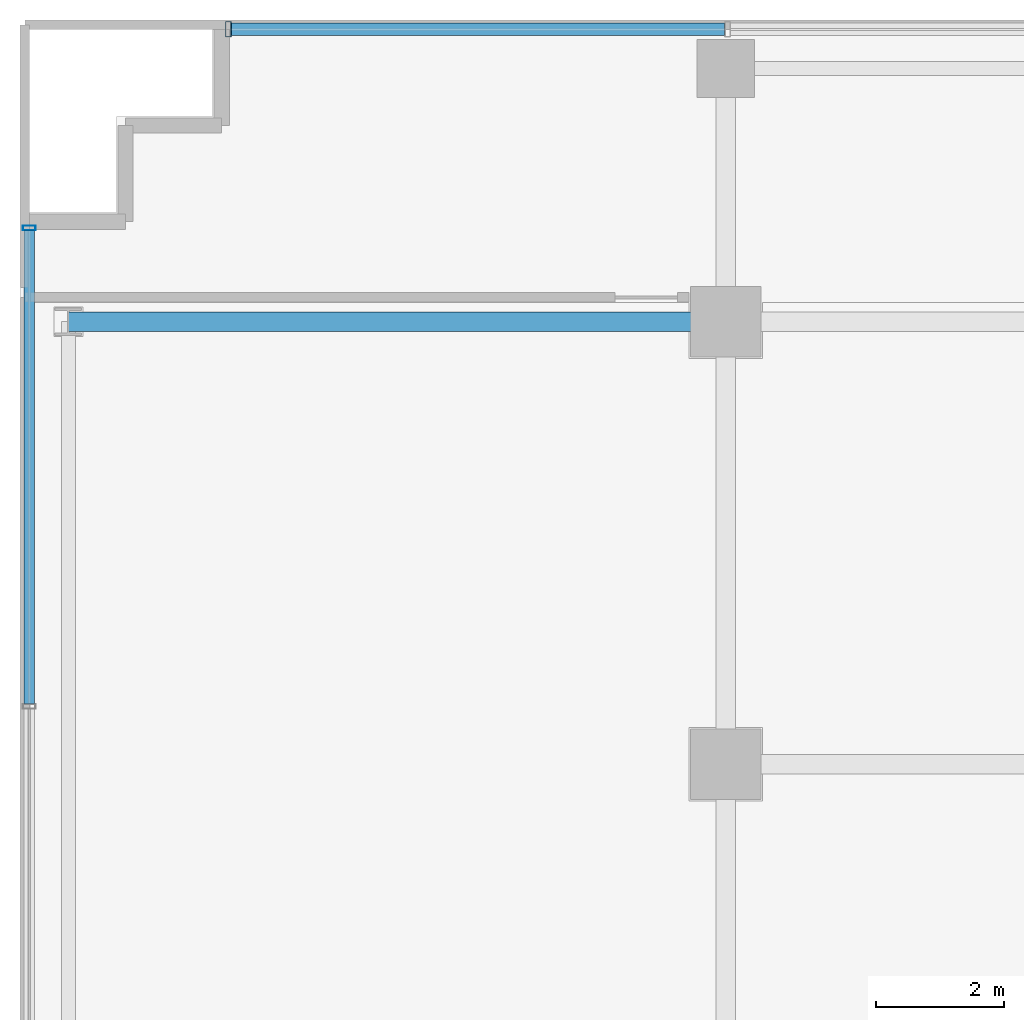
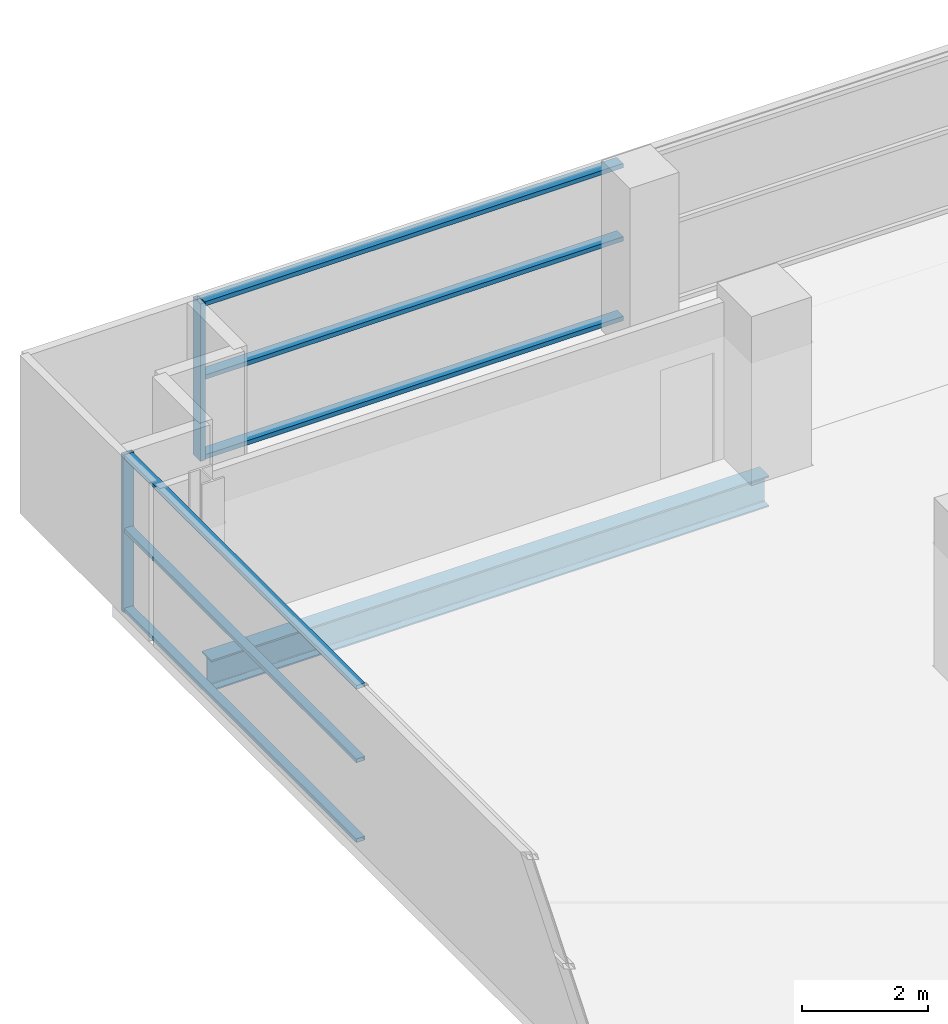
# One storey, part 16 of 30: 8 members, 1 beam, 2 elements without a shape of their own.
"""IFC4 building model written with IfcOpenShell, lengths in metres."""

from ifc_helpers import new_model, si_unit, direction, frame, origin, origin_2d, place, context, subcontext, project, spatial, hollow_rectangle, i_section, extrude, source, transform, mapped, material, layer, layer_set, material_profile, profile_set, type_object, element, aggregate, save


model = new_model("IFC4")

# Units and contexts
model_context = context("Model", 3, precision=1e-05, world=origin(), true_north=direction((0.0, 1.0)))
body_context = subcontext(model_context, "Body", "Model", "MODEL_VIEW")
ifc_project = project(units=[si_unit("LENGTHUNIT", "METRE"), si_unit("AREAUNIT", "SQUARE_METRE"), si_unit("VOLUMEUNIT", "CUBIC_METRE"), si_unit("PLANEANGLEUNIT", "RADIAN"), si_unit("MASSUNIT", "GRAM", prefix="KILO")], contexts=[model_context])

# Site, building, storey
site_placement = place(None, origin())
site = spatial("IfcSite", under=ifc_project, at=site_placement, CompositionType="ELEMENT")
building_placement = place(site_placement, origin())
building = spatial("IfcBuilding", under=site, at=building_placement, Name="Zarnakvel Exchange Tower", CompositionType="ELEMENT")
storey_placement = place(building_placement, frame((0.0, 0.0, 30.699951171875)))
storey = spatial("IfcBuildingStorey", under=building, at=storey_placement, Name="L07", CompositionType="ELEMENT", Elevation=30.699951171875)

# Beam
ifc_material_1 = material(Name="Steel S355", Category="steel")
ifc_material_profile_1 = material_profile(ifc_material_1, i_section(OverallWidth=0.300048828125, OverallDepth=0.60009765625, WebThickness=0.015380859375, FlangeThickness=0.030029296875, FilletRadius=0.027099609375, at=origin_2d()))
ifc_profile_set_1 = profile_set([ifc_material_profile_1], Name="Steel S355")
beam_type = type_object("IfcBeamType", Name="G-04", PredefinedType="BEAM", material=ifc_profile_set_1)
beam_placement = place(storey_placement, frame((-31.85009765625, 13.5, -0.52490234375), z_axis=(1.0, 0.0, 0.0), x_axis=(0.0, 1.0, 0.0)))
element("IfcBeam", 1, at=beam_placement, inside=storey, type_object=beam_type, Name="L07 Tower E-W Frame Beam", PredefinedType="BEAM", context=body_context, shape_type="SweptSolid", body=[
    extrude(i_section(OverallWidth=0.300048828125, OverallDepth=0.60009765625, WebThickness=0.015380859375, FlangeThickness=0.030029296875, FilletRadius=0.027099609375, at=origin_2d()), origin(), (0.0, 0.0, 1.0), 10.25),
])

# Curtain wall, members
ifc_material_2 = material(Name="Architectural Bronze Anodised Aluminium", Category="aluminium")
ifc_layer_1 = layer(ifc_material_2, 0.239990234375)
ifc_layer_set_1 = layer_set([ifc_layer_1], Name="Architectural Bronze Anodised Aluminium")
curtain_wall_type_1 = type_object("IfcCurtainWallType", Name="CW-02", PredefinedType="NOTDEFINED", material=ifc_layer_set_1)
curtain_wall_1_placement = place(storey_placement, origin())
curtain_wall_1 = element("IfcCurtainWall", 2, at=curtain_wall_1_placement, inside=storey, type_object=curtain_wall_type_1, Name="L07 Curtain Wall CW-L07-N1 (CW-02)", PredefinedType="NOTDEFINED")
ifc_material_profile_2 = material_profile(ifc_material_2, hollow_rectangle(XDim=0.199951171875, YDim=0.0849609375, WallThickness=0.0048828125, at=origin_2d()))
ifc_profile_set_2 = profile_set([ifc_material_profile_2], Name="Architectural Bronze Anodised Aluminium")
member_type_1 = type_object("IfcMemberType", Name="CWT-02", PredefinedType="USERDEFINED", material=ifc_profile_set_2)
shared_shape_1 = source(origin(), body_context, "Body", "SweptSolid", [
    extrude(hollow_rectangle(XDim=0.199951171875, YDim=0.0849609375, WallThickness=0.0048828125, at=origin_2d()), origin(), (0.0, 0.0, 1.0), 7.693603515625),
])
member_1_placement = place(storey_placement, frame((-29.31005859375, 18.06005859375, 0.04248046875), z_axis=(1.0, 0.0, 0.0), x_axis=(0.0, 1.0, 0.0)))
member_1 = element("IfcMember", 3, at=member_1_placement, type_object=member_type_1, Name="CW-02 transom 1.1", ObjectType="TRANSOM", PredefinedType="USERDEFINED", context=body_context, shape_type="MappedRepresentation", body=[
    mapped(shared_shape_1, transform((0.0, 0.0, 0.0), x_axis=(1.0, 0.0, 0.0), y_axis=(0.0, 1.0, 0.0), z_axis=(0.0, 0.0, 1.0), scale=1.0)),
])
member_2_placement = place(storey_placement, frame((-29.31005859375, 18.06005859375, 1.588623046875), z_axis=(1.0, 0.0, 0.0), x_axis=(0.0, 1.0, 0.0)))
member_2 = element("IfcMember", 4, at=member_2_placement, type_object=member_type_1, Name="CW-02 transom 1.2", ObjectType="TRANSOM", PredefinedType="USERDEFINED", context=body_context, shape_type="MappedRepresentation", body=[
    mapped(shared_shape_1, transform((0.0, 0.0, 0.0), x_axis=(1.0, 0.0, 0.0), y_axis=(0.0, 1.0, 0.0), z_axis=(0.0, 0.0, 1.0), scale=1.0)),
])
member_3_placement = place(storey_placement, frame((-29.31005859375, 18.06005859375, 3.012451171875), z_axis=(1.0, 0.0, 0.0), x_axis=(0.0, 1.0, 0.0)))
member_3 = element("IfcMember", 5, at=member_3_placement, type_object=member_type_1, Name="CW-02 transom 1.3", ObjectType="TRANSOM", PredefinedType="USERDEFINED", context=body_context, shape_type="MappedRepresentation", body=[
    mapped(shared_shape_1, transform((0.0, 0.0, 0.0), x_axis=(1.0, 0.0, 0.0), y_axis=(0.0, 1.0, 0.0), z_axis=(0.0, 0.0, 1.0), scale=1.0)),
])

ifc_layer_2 = layer(ifc_material_2, 0.199951171875)
ifc_layer_set_2 = layer_set([ifc_layer_2], Name="Architectural Bronze Anodised Aluminium")
curtain_wall_type_2 = type_object("IfcCurtainWallType", Name="CW-04", PredefinedType="NOTDEFINED", material=ifc_layer_set_2)
curtain_wall_2_placement = place(storey_placement, origin())
curtain_wall_2 = element("IfcCurtainWall", 6, at=curtain_wall_2_placement, inside=storey, type_object=curtain_wall_type_2, Name="L07 Curtain Wall CW-L07-W1 (CW-04)", PredefinedType="NOTDEFINED")
ifc_material_profile_3 = material_profile(ifc_material_2, hollow_rectangle(XDim=0.159912109375, YDim=0.074951171875, WallThickness=0.00390625, at=origin_2d()))
ifc_profile_set_3 = profile_set([ifc_material_profile_3], Name="Architectural Bronze Anodised Aluminium")
member_type_2 = type_object("IfcMemberType", Name="CWT-04", PredefinedType="USERDEFINED", material=ifc_profile_set_3)
shared_shape_2 = source(origin(), body_context, "Body", "SweptSolid", [
    extrude(hollow_rectangle(XDim=0.159912109375, YDim=0.074951171875, WallThickness=0.00390625, at=origin_2d()), origin(), (0.0, 0.0, 1.0), 7.387451171875),
])
member_4_placement = place(storey_placement, frame((-32.4599609375, 7.53759765625, 0.03759765625), z_axis=(0.0, 1.0, 0.0), x_axis=(-1.0, 0.0, 0.0)))
member_4 = element("IfcMember", 7, at=member_4_placement, type_object=member_type_2, Name="CW-04 transom 4.1", ObjectType="TRANSOM", PredefinedType="USERDEFINED", context=body_context, shape_type="MappedRepresentation", body=[
    mapped(shared_shape_2, transform((0.0, 0.0, 0.0), x_axis=(1.0, 0.0, 0.0), y_axis=(0.0, 1.0, 0.0), z_axis=(0.0, 0.0, 1.0), scale=1.0)),
])
member_5_placement = place(storey_placement, frame((-32.4599609375, 7.53759765625, 1.588623046875), z_axis=(0.0, 1.0, 0.0), x_axis=(-1.0, 0.0, 0.0)))
member_5 = element("IfcMember", 8, at=member_5_placement, type_object=member_type_2, Name="CW-04 transom 4.2", ObjectType="TRANSOM", PredefinedType="USERDEFINED", context=body_context, shape_type="MappedRepresentation", body=[
    mapped(shared_shape_2, transform((0.0, 0.0, 0.0), x_axis=(1.0, 0.0, 0.0), y_axis=(0.0, 1.0, 0.0), z_axis=(0.0, 0.0, 1.0), scale=1.0)),
])
member_6_placement = place(storey_placement, frame((-32.4599609375, 7.53759765625, 3.017578125), z_axis=(0.0, 1.0, 0.0), x_axis=(-1.0, 0.0, 0.0)))
member_6 = element("IfcMember", 9, at=member_6_placement, type_object=member_type_2, Name="CW-04 transom 4.3", ObjectType="TRANSOM", PredefinedType="USERDEFINED", context=body_context, shape_type="MappedRepresentation", body=[
    mapped(shared_shape_2, transform((0.0, 0.0, 0.0), x_axis=(1.0, 0.0, 0.0), y_axis=(0.0, 1.0, 0.0), z_axis=(0.0, 0.0, 1.0), scale=1.0)),
])

# Member
ifc_material_profile_4 = material_profile(ifc_material_2, hollow_rectangle(XDim=0.239990234375, YDim=0.090087890625, WallThickness=0.006103515625, at=origin_2d()))
ifc_profile_set_4 = profile_set([ifc_material_profile_4], Name="Architectural Bronze Anodised Aluminium")
member_type_3 = type_object("IfcMemberType", Name="CWM-02", PredefinedType="MULLION", material=ifc_profile_set_4)
shared_shape_3 = source(origin(), body_context, "Body", "SweptSolid", [
    extrude(hollow_rectangle(XDim=0.239990234375, YDim=0.090087890625, WallThickness=0.006103515625, at=origin_2d()), origin(), (0.0, 0.0, 1.0), 3.054931640625),
])
member_7_placement = place(storey_placement, frame((-29.35498046875, 18.06005859375, 0.0), z_axis=(0.0, 0.0, 1.0), x_axis=(0.0, 1.0, 0.0)))
member_7 = element("IfcMember", 10, at=member_7_placement, type_object=member_type_3, Name="CW-02 mullion 1", PredefinedType="MULLION", context=body_context, shape_type="MappedRepresentation", body=[
    mapped(shared_shape_3, transform((0.0, 0.0, 0.0), x_axis=(1.0, 0.0, 0.0), y_axis=(0.0, 1.0, 0.0), z_axis=(0.0, 0.0, 1.0), scale=1.0)),
])

aggregate(curtain_wall_1, [member_7, member_1, member_2, member_3])

ifc_material_profile_5 = material_profile(ifc_material_2, hollow_rectangle(XDim=0.199951171875, YDim=0.074951171875, WallThickness=0.0048828125, at=origin_2d()))
ifc_profile_set_5 = profile_set([ifc_material_profile_5], Name="Architectural Bronze Anodised Aluminium")
member_type_4 = type_object("IfcMemberType", Name="CWM-04", PredefinedType="MULLION", material=ifc_profile_set_5)
shared_shape_4 = source(origin(), body_context, "Body", "SweptSolid", [
    extrude(hollow_rectangle(XDim=0.199951171875, YDim=0.074951171875, WallThickness=0.0048828125, at=origin_2d()), origin(), (0.0, 0.0, 1.0), 3.054931640625),
])
member_8_placement = place(storey_placement, frame((-32.4599609375, 14.96240234375, 0.0), z_axis=(0.0, 0.0, 1.0), x_axis=(-1.0, 0.0, 0.0)))
member_8 = element("IfcMember", 11, at=member_8_placement, type_object=member_type_4, Name="CW-04 mullion 5", PredefinedType="MULLION", context=body_context, shape_type="MappedRepresentation", body=[
    mapped(shared_shape_4, transform((0.0, 0.0, 0.0), x_axis=(1.0, 0.0, 0.0), y_axis=(0.0, 1.0, 0.0), z_axis=(0.0, 0.0, 1.0), scale=1.0)),
])

aggregate(curtain_wall_2, [member_8, member_4, member_5, member_6])

save(model, "model.ifc")
